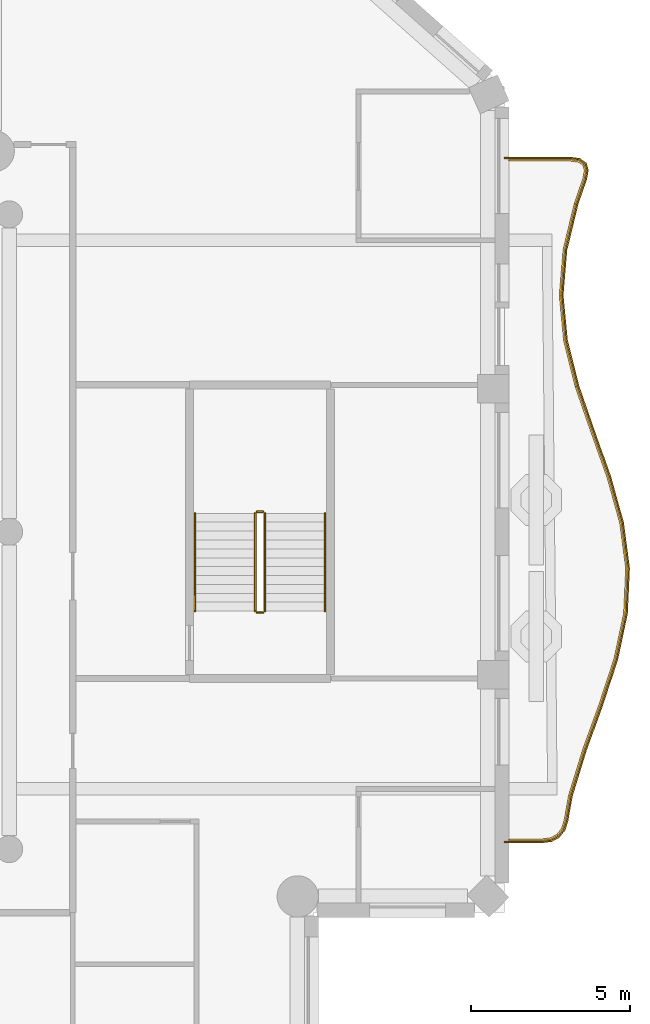
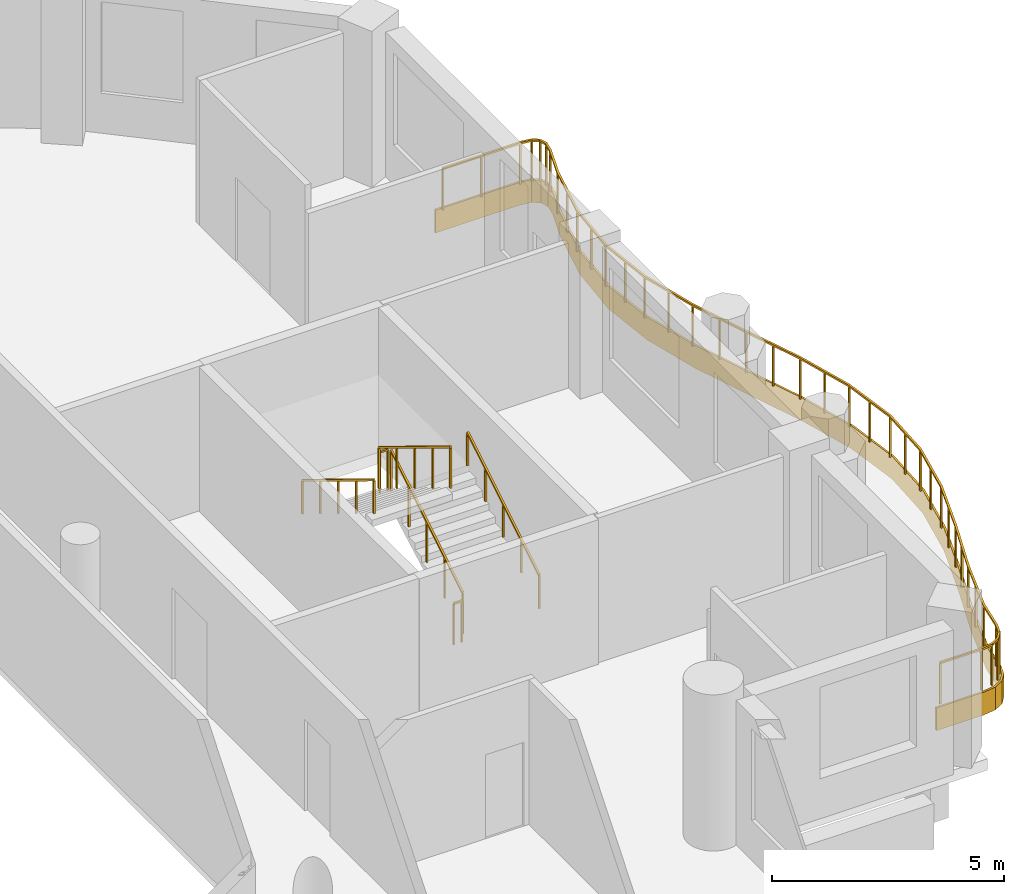
# One storey, part 12 of 14: 7 railings, 1 covering.
"""IFC4 building model written with IfcOpenShell, lengths in metres."""

from ifc_helpers import new_model, si_unit, direction, frame, origin, origin_2d, place, context, subcontext, project, spatial, polyline, rectangle, outline, extrude, material, layer, layer_set, type_object, element, save


model = new_model("IFC4")

# Units and contexts
model_context = context("Model", 3, precision=1e-05, world=origin(), true_north=direction((0.0, 1.0)))
body_context = subcontext(model_context, "Body", "Model", "MODEL_VIEW")
ifc_project = project(units=[si_unit("LENGTHUNIT", "METRE"), si_unit("AREAUNIT", "SQUARE_METRE"), si_unit("VOLUMEUNIT", "CUBIC_METRE"), si_unit("PLANEANGLEUNIT", "RADIAN"), si_unit("MASSUNIT", "GRAM", prefix="KILO")], contexts=[model_context])

# Site, building, storey
site_placement = place(None, origin())
site = spatial("IfcSite", under=ifc_project, at=site_placement, CompositionType="ELEMENT")
building_placement = place(site_placement, origin())
building = spatial("IfcBuilding", under=site, at=building_placement, Name="Cypress Arch Tower", CompositionType="ELEMENT")
storey_placement = place(building_placement, frame((0.0, 0.0, 284.39990234375)))
storey = spatial("IfcBuildingStorey", under=building, at=storey_placement, Name="L64", CompositionType="ELEMENT", Elevation=284.39990234375)

# Covering
ifc_material_1 = material(Name="White powder-coated aluminium fascia", Category="aluminium")
ifc_layer = layer(ifc_material_1, 0.050048828125)
ifc_layer_set = layer_set([ifc_layer], Name="Balcony fascia BF50")
covering_type = type_object("IfcCoveringType", Name="Balcony fascia BF50", PredefinedType="CLADDING", material=ifc_layer_set)
covering_placement = place(storey_placement, frame((0.0, 0.0, -0.599853515625)))
element("IfcCovering", 1, at=covering_placement, inside=storey, type_object=covering_type, Name="Balcony fascia L64-C17", PredefinedType="CLADDING", context=body_context, shape_type="SweptSolid", body=[
    extrude(outline(polyline([(26.68017578125, 11.800048828125), (26.980224609375, 11.757568359375), (27.176025390625, 11.61962890625), (27.2431640625, 11.3896484375), (27.186279296875, 11.092041015625), (26.916015625, 10.302734375), (26.569580078125, 8.875244140625), (26.450439453125, 7.4501953125), (26.587158203125, 6.025146484375), (26.94677734375, 4.59765625), (27.442138671875, 3.16650390625), (27.952392578125, 1.731689453125), (28.35205078125, 0.29345703125), (28.542236328125, -1.14794921875), (28.4755859375, -2.58984375), (28.168701171875, -4.02978515625), (27.697509765625, -5.46630859375), (27.1787109375, -6.899169921875), (26.7392578125, -8.328369140625), (26.59912109375, -9.1171875), (26.504150390625, -9.4111328125), (26.33349609375, -9.6279296875), (26.090087890625, -9.758056640625), (25.7841796875, -9.800048828125), (24.60107421875, -9.800048828125), (24.60107421875, -9.75), (25.78076171875, -9.75), (26.074462890625, -9.709716796875), (26.300537109375, -9.5888671875), (26.459228515625, -9.38720703125), (26.55029296875, -9.10498046875), (26.6904296875, -8.316650390625), (27.13134765625, -6.88330078125), (27.650390625, -5.449951171875), (28.1201171875, -4.0166015625), (28.42578125, -2.583251953125), (28.4921875, -1.14990234375), (28.302978515625, 0.283447265625), (27.90478515625, 1.716552734375), (27.39501953125, 3.14990234375), (26.898681640625, 4.583251953125), (26.53759765625, 6.0166015625), (26.400146484375, 7.449951171875), (26.52001953125, 8.88330078125), (26.867919921875, 10.316650390625), (27.1376953125, 11.10498046875), (27.191650390625, 11.38720703125), (27.1328125, 11.5888671875), (26.961181640625, 11.709716796875), (26.6767578125, 11.75), (24.60107421875, 11.75), (24.60107421875, 11.800048828125), (26.68017578125, 11.800048828125)])), origin(), (0.0, 0.0, 1.0), 0.599853515625),
])

# Railings
ifc_material_2 = material(Name="Powder-coated steel posts and rods, 100 mm clear between rods", Category="steel")
railing_type_1 = type_object("IfcRailingType", Name="Balcony guard GR1100", PredefinedType="GUARDRAIL", material=ifc_material_2)
railing_1_placement = place(storey_placement, frame((24.75, 11.699951171875, 0.0)))
element("IfcRailing", 2, at=railing_1_placement, inside=storey, type_object=railing_type_1, Name="Balcony guard L64-C17", PredefinedType="GUARDRAIL", context=body_context, shape_type="SweptSolid", body=[
    extrude(rectangle(XDim=0.050048828125, YDim=0.050048828125, at=origin_2d()), frame((0.0, 0.0, 1.0751953125), z_axis=(1.0, 0.0, 0.0), x_axis=(0.0, 1.0, 0.0)), (0.0, 0.0, 1.0), 1.92333984375),
    extrude(rectangle(XDim=0.050048828125, YDim=0.050048828125, at=origin_2d()), frame((1.92333984375, 0.0, 1.0751953125), z_axis=(0.990128391125, -0.140163365713, 0.0), x_axis=(0.140163365713, 0.990128391125, 0.0)), (0.0, 0.0, 1.0), 0.271728515625),
    extrude(rectangle(XDim=0.050048828125, YDim=0.050048828125, at=origin_2d()), frame((2.1923828125, -0.0380859375, 1.0751953125), z_axis=(0.817192775019, -0.576364440659, 0.0), x_axis=(0.576364440659, 0.817192775019, 0.0)), (0.0, 0.0, 1.0), 0.180419921875),
    extrude(rectangle(XDim=0.050048828125, YDim=0.050048828125, at=origin_2d()), frame((2.33984375, -0.14208984375, 1.0751953125), z_axis=(0.280259940984, -0.95992414569, 0.0), x_axis=(0.95992414569, 0.280259940984, 0.0)), (0.0, 0.0, 1.0), 0.180419921875),
    extrude(rectangle(XDim=0.050048828125, YDim=0.050048828125, at=origin_2d()), frame((2.390380859375, -0.315185546875, 1.0751953125), z_axis=(-0.18781405479, -0.982204602322, 0.0), x_axis=(0.982204602322, -0.18781405479, 0.0)), (0.0, 0.0, 1.0), 0.271728515625),
    extrude(rectangle(XDim=0.050048828125, YDim=0.050048828125, at=origin_2d()), frame((2.33935546875, -0.58203125, 1.0751953125), z_axis=(-0.323874276522, -0.946100128426, 0.0), x_axis=(0.946100128426, -0.323874276522, 0.0)), (0.0, 0.0, 1.0), 0.832275390625),
    extrude(rectangle(XDim=0.050048828125, YDim=0.050048828125, at=origin_2d()), frame((2.06982421875, -1.369384765625, 1.0751953125), z_axis=(-0.235897255412, -0.971778001855, 0.0), x_axis=(0.971778001855, -0.235897255412, 0.0)), (0.0, 0.0, 1.0), 1.48095703125),
    extrude(rectangle(XDim=0.050048828125, YDim=0.050048828125, at=origin_2d()), frame((1.720458984375, -2.80859375, 1.0751953125), z_axis=(-0.083366698614, -0.996518937884, 0.0), x_axis=(0.996518937884, -0.083366698614, 0.0)), (0.0, 0.0, 1.0), 1.44677734375),
    extrude(rectangle(XDim=0.050048828125, YDim=0.050048828125, at=origin_2d()), frame((1.599853515625, -4.250244140625, 1.0751953125), z_axis=(0.09558071033, -0.995421683415, 0.0), x_axis=(0.995421683415, 0.09558071033, 0.0)), (0.0, 0.0, 1.0), 1.4482421875),
    extrude(rectangle(XDim=0.050048828125, YDim=0.050048828125, at=origin_2d()), frame((1.73828125, -5.69189453125, 1.0751953125), z_axis=(0.24431593072, -0.969695687315, 0.0), x_axis=(0.969695687315, 0.24431593072, 0.0)), (0.0, 0.0, 1.0), 1.48388671875),
    extrude(rectangle(XDim=0.050048828125, YDim=0.050048828125, at=origin_2d()), frame((2.100830078125, -7.130859375, 1.0751953125), z_axis=(0.327198876846, -0.944955498947, 0.0), x_axis=(0.944955498947, 0.327198876846, 0.0)), (0.0, 0.0, 1.0), 1.519287109375),
    extrude(rectangle(XDim=0.050048828125, YDim=0.050048828125, at=origin_2d()), frame((2.597900390625, -8.56640625, 1.0751953125), z_axis=(0.335104742792, -0.942180880382, 0.0), x_axis=(0.942180880382, 0.335104742792, 0.0)), (0.0, 0.0, 1.0), 1.519775390625),
    extrude(rectangle(XDim=0.050048828125, YDim=0.050048828125, at=origin_2d()), frame((3.107177734375, -9.998291015625, 1.0751953125), z_axis=(0.267643863786, -0.96351790963, 0.0), x_axis=(0.96351790963, 0.267643863786, 0.0)), (0.0, 0.0, 1.0), 1.482421875),
    extrude(rectangle(XDim=0.050048828125, YDim=0.050048828125, at=origin_2d()), frame((3.50390625, -11.426513671875, 1.0751953125), z_axis=(0.13090688288, -0.991394668139, 0.0), x_axis=(0.991394668139, 0.13090688288, 0.0)), (0.0, 0.0, 1.0), 1.43798828125),
    extrude(rectangle(XDim=0.050048828125, YDim=0.050048828125, at=origin_2d()), frame((3.692138671875, -12.85205078125, 1.0751953125), z_axis=(-0.046385931084, -0.998923593373, 0.0), x_axis=(0.998923593373, -0.046385931084, 0.0)), (0.0, 0.0, 1.0), 1.42626953125),
    extrude(rectangle(XDim=0.050048828125, YDim=0.050048828125, at=origin_2d()), frame((3.6259765625, -14.27685546875, 1.0751953125), z_axis=(-0.20852322051, -0.97801741626, 0.0), x_axis=(0.97801741626, -0.20852322051, 0.0)), (0.0, 0.0, 1.0), 1.458740234375),
    extrude(rectangle(XDim=0.050048828125, YDim=0.050048828125, at=origin_2d()), frame((3.32177734375, -15.70361328125, 1.0751953125), z_axis=(-0.311502638206, -0.950245287487, 0.0), x_axis=(0.950245287487, -0.311502638206, 0.0)), (0.0, 0.0, 1.0), 1.5048828125),
    extrude(rectangle(XDim=0.050048828125, YDim=0.050048828125, at=origin_2d()), frame((2.85302734375, -17.133544921875, 1.0751953125), z_axis=(-0.340380071037, -0.940287938475, 0.0), x_axis=(0.940287938475, -0.340380071037, 0.0)), (0.0, 0.0, 1.0), 1.52490234375),
    extrude(rectangle(XDim=0.050048828125, YDim=0.050048828125, at=origin_2d()), frame((2.333984375, -18.5673828125, 1.0751953125), z_axis=(-0.293983183143, -0.955810592131, 0.0), x_axis=(0.955810592131, -0.293983183143, 0.0)), (0.0, 0.0, 1.0), 1.50390625),
    extrude(rectangle(XDim=0.050048828125, YDim=0.050048828125, at=origin_2d()), frame((1.891845703125, -20.0048828125, 1.0751953125), z_axis=(-0.175125344841, -0.984546145995, 0.0), x_axis=(0.984546145995, -0.175125344841, 0.0)), (0.0, 0.0, 1.0), 0.80029296875),
    extrude(rectangle(XDim=0.050048828125, YDim=0.050048828125, at=origin_2d()), frame((1.751708984375, -20.792724609375, 1.0751953125), z_axis=(-0.306676473275, -0.951813816216, 0.0), x_axis=(0.951813816216, -0.306676473275, 0.0)), (0.0, 0.0, 1.0), 0.2841796875),
    extrude(rectangle(XDim=0.050048828125, YDim=0.050048828125, at=origin_2d()), frame((1.66455078125, -21.063232421875, 1.0751953125), z_axis=(-0.618775972519, -0.785567499221, 0.0), x_axis=(0.785567499221, -0.618775972519, 0.0)), (0.0, 0.0, 1.0), 0.237060546875),
    extrude(rectangle(XDim=0.050048828125, YDim=0.050048828125, at=origin_2d()), frame((1.517822265625, -21.24951171875, 1.0751953125), z_axis=(-0.881724858893, -0.471764001604, 0.0), x_axis=(0.471764001604, -0.881724858893, 0.0)), (0.0, 0.0, 1.0), 0.237060546875),
    extrude(rectangle(XDim=0.050048828125, YDim=0.050048828125, at=origin_2d()), frame((1.308837890625, -21.361328125, 1.0751953125), z_axis=(-0.990741063369, -0.135765037305, 0.0), x_axis=(0.135765037305, -0.990741063369, 0.0)), (0.0, 0.0, 1.0), 0.2841796875),
    extrude(rectangle(XDim=0.050048828125, YDim=0.050048828125, at=origin_2d()), frame((1.02734375, -21.39990234375, 1.0751953125), z_axis=(-1.0, 0.0, 0.0), x_axis=(0.0, -1.0, 0.0)), (0.0, 0.0, 1.0), 1.02734375),
    extrude(rectangle(XDim=0.0400390625, YDim=0.0400390625, at=origin_2d()), origin(), (0.0, 0.0, 1.0), 1.050048828125),
    extrude(rectangle(XDim=0.0400390625, YDim=0.0400390625, at=origin_2d()), frame((0.961669921875, 0.0, 0.0)), (0.0, 0.0, 1.0), 1.050048828125),
    extrude(rectangle(XDim=0.0400390625, YDim=0.0400390625, at=origin_2d()), frame((1.92333984375, 0.0, 0.0)), (0.0, 0.0, 1.0), 1.050048828125),
    extrude(rectangle(XDim=0.0400390625, YDim=0.0400390625, at=origin_2d()), frame((2.1923828125, -0.0380859375, 0.0)), (0.0, 0.0, 1.0), 1.050048828125),
    extrude(rectangle(XDim=0.0400390625, YDim=0.0400390625, at=origin_2d()), frame((2.33984375, -0.14208984375, 0.0)), (0.0, 0.0, 1.0), 1.050048828125),
    extrude(rectangle(XDim=0.0400390625, YDim=0.0400390625, at=origin_2d()), frame((2.390380859375, -0.315185546875, 0.0)), (0.0, 0.0, 1.0), 1.050048828125),
    extrude(rectangle(XDim=0.0400390625, YDim=0.0400390625, at=origin_2d()), frame((2.33935546875, -0.58203125, 0.0)), (0.0, 0.0, 1.0), 1.050048828125),
    extrude(rectangle(XDim=0.0400390625, YDim=0.0400390625, at=origin_2d()), frame((2.06982421875, -1.369384765625, 0.0)), (0.0, 0.0, 1.0), 1.050048828125),
    extrude(rectangle(XDim=0.0400390625, YDim=0.0400390625, at=origin_2d()), frame((1.89501953125, -2.0888671875, 0.0)), (0.0, 0.0, 1.0), 1.050048828125),
    extrude(rectangle(XDim=0.0400390625, YDim=0.0400390625, at=origin_2d()), frame((1.720458984375, -2.80859375, 0.0)), (0.0, 0.0, 1.0), 1.050048828125),
    extrude(rectangle(XDim=0.0400390625, YDim=0.0400390625, at=origin_2d()), frame((1.66015625, -3.529296875, 0.0)), (0.0, 0.0, 1.0), 1.050048828125),
    extrude(rectangle(XDim=0.0400390625, YDim=0.0400390625, at=origin_2d()), frame((1.599853515625, -4.250244140625, 0.0)), (0.0, 0.0, 1.0), 1.050048828125),
    extrude(rectangle(XDim=0.0400390625, YDim=0.0400390625, at=origin_2d()), frame((1.6689453125, -4.97119140625, 0.0)), (0.0, 0.0, 1.0), 1.050048828125),
    extrude(rectangle(XDim=0.0400390625, YDim=0.0400390625, at=origin_2d()), frame((1.73828125, -5.69189453125, 0.0)), (0.0, 0.0, 1.0), 1.050048828125),
    extrude(rectangle(XDim=0.0400390625, YDim=0.0400390625, at=origin_2d()), frame((1.91943359375, -6.411376953125, 0.0)), (0.0, 0.0, 1.0), 1.050048828125),
    extrude(rectangle(XDim=0.0400390625, YDim=0.0400390625, at=origin_2d()), frame((2.100830078125, -7.130859375, 0.0)), (0.0, 0.0, 1.0), 1.050048828125),
    extrude(rectangle(XDim=0.0400390625, YDim=0.0400390625, at=origin_2d()), frame((2.349365234375, -7.8486328125, 0.0)), (0.0, 0.0, 1.0), 1.050048828125),
    extrude(rectangle(XDim=0.0400390625, YDim=0.0400390625, at=origin_2d()), frame((2.597900390625, -8.56640625, 0.0)), (0.0, 0.0, 1.0), 1.050048828125),
    extrude(rectangle(XDim=0.0400390625, YDim=0.0400390625, at=origin_2d()), frame((2.8525390625, -9.2822265625, 0.0)), (0.0, 0.0, 1.0), 1.050048828125),
    extrude(rectangle(XDim=0.0400390625, YDim=0.0400390625, at=origin_2d()), frame((3.107177734375, -9.998291015625, 0.0)), (0.0, 0.0, 1.0), 1.050048828125),
    extrude(rectangle(XDim=0.0400390625, YDim=0.0400390625, at=origin_2d()), frame((3.3056640625, -10.71240234375, 0.0)), (0.0, 0.0, 1.0), 1.050048828125),
    extrude(rectangle(XDim=0.0400390625, YDim=0.0400390625, at=origin_2d()), frame((3.50390625, -11.426513671875, 0.0)), (0.0, 0.0, 1.0), 1.050048828125),
    extrude(rectangle(XDim=0.0400390625, YDim=0.0400390625, at=origin_2d()), frame((3.59814453125, -12.13916015625, 0.0)), (0.0, 0.0, 1.0), 1.050048828125),
    extrude(rectangle(XDim=0.0400390625, YDim=0.0400390625, at=origin_2d()), frame((3.692138671875, -12.85205078125, 0.0)), (0.0, 0.0, 1.0), 1.050048828125),
    extrude(rectangle(XDim=0.0400390625, YDim=0.0400390625, at=origin_2d()), frame((3.6591796875, -13.564453125, 0.0)), (0.0, 0.0, 1.0), 1.050048828125),
    extrude(rectangle(XDim=0.0400390625, YDim=0.0400390625, at=origin_2d()), frame((3.6259765625, -14.27685546875, 0.0)), (0.0, 0.0, 1.0), 1.050048828125),
    extrude(rectangle(XDim=0.0400390625, YDim=0.0400390625, at=origin_2d()), frame((3.473876953125, -14.990234375, 0.0)), (0.0, 0.0, 1.0), 1.050048828125),
    extrude(rectangle(XDim=0.0400390625, YDim=0.0400390625, at=origin_2d()), frame((3.32177734375, -15.70361328125, 0.0)), (0.0, 0.0, 1.0), 1.050048828125),
    extrude(rectangle(XDim=0.0400390625, YDim=0.0400390625, at=origin_2d()), frame((3.08740234375, -16.41845703125, 0.0)), (0.0, 0.0, 1.0), 1.050048828125),
    extrude(rectangle(XDim=0.0400390625, YDim=0.0400390625, at=origin_2d()), frame((2.85302734375, -17.133544921875, 0.0)), (0.0, 0.0, 1.0), 1.050048828125),
    extrude(rectangle(XDim=0.0400390625, YDim=0.0400390625, at=origin_2d()), frame((2.593505859375, -17.8505859375, 0.0)), (0.0, 0.0, 1.0), 1.050048828125),
    extrude(rectangle(XDim=0.0400390625, YDim=0.0400390625, at=origin_2d()), frame((2.333984375, -18.5673828125, 0.0)), (0.0, 0.0, 1.0), 1.050048828125),
    extrude(rectangle(XDim=0.0400390625, YDim=0.0400390625, at=origin_2d()), frame((2.11279296875, -19.2861328125, 0.0)), (0.0, 0.0, 1.0), 1.050048828125),
    extrude(rectangle(XDim=0.0400390625, YDim=0.0400390625, at=origin_2d()), frame((1.891845703125, -20.0048828125, 0.0)), (0.0, 0.0, 1.0), 1.050048828125),
    extrude(rectangle(XDim=0.0400390625, YDim=0.0400390625, at=origin_2d()), frame((1.751708984375, -20.792724609375, 0.0)), (0.0, 0.0, 1.0), 1.050048828125),
    extrude(rectangle(XDim=0.0400390625, YDim=0.0400390625, at=origin_2d()), frame((1.66455078125, -21.063232421875, 0.0)), (0.0, 0.0, 1.0), 1.050048828125),
    extrude(rectangle(XDim=0.0400390625, YDim=0.0400390625, at=origin_2d()), frame((1.517822265625, -21.24951171875, 0.0)), (0.0, 0.0, 1.0), 1.050048828125),
    extrude(rectangle(XDim=0.0400390625, YDim=0.0400390625, at=origin_2d()), frame((1.308837890625, -21.361328125, 0.0)), (0.0, 0.0, 1.0), 1.050048828125),
    extrude(rectangle(XDim=0.0400390625, YDim=0.0400390625, at=origin_2d()), frame((1.02734375, -21.39990234375, 0.0)), (0.0, 0.0, 1.0), 1.050048828125),
    extrude(rectangle(XDim=0.0400390625, YDim=0.0400390625, at=origin_2d()), frame((0.0, -21.39990234375, 0.0)), (0.0, 0.0, 1.0), 1.050048828125),
])
ifc_material_3 = material(Name="Black powder-coated steel square bar 48 mm", Category="steel")
railing_type_2 = type_object("IfcRailingType", Name="Stair handrail HR1", PredefinedType="HANDRAIL", material=ifc_material_3)
railing_2_placement = place(storey_placement, frame((18.949951171875, -2.5, 0.1708984375)))
element("IfcRailing", 3, at=railing_2_placement, inside=storey, type_object=railing_type_2, Name="L64 C stair handrail 1", PredefinedType="HANDRAIL", context=body_context, shape_type="SweptSolid", body=[
    extrude(rectangle(XDim=0.048095703125, YDim=0.048095703125, at=origin_2d()), frame((0.0, 0.0, 0.8759765625), z_axis=(0.0, 0.853666305674, 0.52082035152), x_axis=(-1.0, 0.0, 0.0)), (0.0, 0.0, 1.0), 3.608154296875),
    extrude(rectangle(XDim=0.0419921875, YDim=0.0419921875, at=origin_2d()), origin(), (0.0, 0.0, 1.0), 0.851806640625),
    extrude(rectangle(XDim=0.0419921875, YDim=0.0419921875, at=origin_2d()), frame((0.0, 0.77001953125, 0.4697265625)), (0.0, 0.0, 1.0), 0.851806640625),
    extrude(rectangle(XDim=0.0419921875, YDim=0.0419921875, at=origin_2d()), frame((0.0, 1.5400390625, 0.939453125)), (0.0, 0.0, 1.0), 0.851806640625),
    extrude(rectangle(XDim=0.0419921875, YDim=0.0419921875, at=origin_2d()), frame((0.0, 2.31005859375, 1.409423828125)), (0.0, 0.0, 1.0), 0.851806640625),
    extrude(rectangle(XDim=0.0419921875, YDim=0.0419921875, at=origin_2d()), frame((0.0, 3.080078125, 1.879150390625)), (0.0, 0.0, 1.0), 0.851806640625),
])
railing_3_placement = place(storey_placement, frame((14.85009765625, 0.580078125, 2.220947265625)))
element("IfcRailing", 4, at=railing_3_placement, inside=storey, type_object=railing_type_2, Name="L64 C stair handrail 2", PredefinedType="HANDRAIL", context=body_context, shape_type="SweptSolid", body=[
    extrude(rectangle(XDim=0.048095703125, YDim=0.048095703125, at=origin_2d()), frame((0.0, 0.0, 0.8759765625), z_axis=(0.0, -0.853666305674, 0.52082035152), x_axis=(1.0, 0.0, 0.0)), (0.0, 0.0, 1.0), 3.608154296875),
    extrude(rectangle(XDim=0.0419921875, YDim=0.0419921875, at=origin_2d()), origin(), (0.0, 0.0, 1.0), 0.851806640625),
    extrude(rectangle(XDim=0.0419921875, YDim=0.0419921875, at=origin_2d()), frame((0.0, -0.77001953125, 0.4697265625)), (0.0, 0.0, 1.0), 0.851806640625),
    extrude(rectangle(XDim=0.0419921875, YDim=0.0419921875, at=origin_2d()), frame((0.0, -1.5400390625, 0.939453125)), (0.0, 0.0, 1.0), 0.851806640625),
    extrude(rectangle(XDim=0.0419921875, YDim=0.0419921875, at=origin_2d()), frame((0.0, -2.31005859375, 1.409423828125)), (0.0, 0.0, 1.0), 0.851806640625),
    extrude(rectangle(XDim=0.0419921875, YDim=0.0419921875, at=origin_2d()), frame((0.0, -3.080078125, 1.879150390625)), (0.0, 0.0, 1.0), 0.851806640625),
])
ifc_material_4 = material(Name="Black powder-coated steel balusters", Category="steel")
railing_type_3 = type_object("IfcRailingType", Name="Stair well guard G1", PredefinedType="GUARDRAIL", material=ifc_material_4)
railing_4_placement = place(storey_placement, frame((17.050048828125, -2.5, 0.1708984375)))
element("IfcRailing", 5, at=railing_4_placement, inside=storey, type_object=railing_type_3, Name="L64 C stair guard 1", PredefinedType="GUARDRAIL", context=body_context, shape_type="SweptSolid", body=[
    extrude(rectangle(XDim=0.048095703125, YDim=0.048095703125, at=origin_2d()), frame((0.0, 0.0, 1.076171875), z_axis=(0.0, 0.853666305674, 0.52082035152), x_axis=(-1.0, 0.0, 0.0)), (0.0, 0.0, 1.0), 3.608154296875),
    extrude(rectangle(XDim=0.0419921875, YDim=0.0419921875, at=origin_2d()), origin(), (0.0, 0.0, 1.0), 1.052001953125),
    extrude(rectangle(XDim=0.0419921875, YDim=0.0419921875, at=origin_2d()), frame((0.0, 0.77001953125, 0.4697265625)), (0.0, 0.0, 1.0), 1.052001953125),
    extrude(rectangle(XDim=0.0419921875, YDim=0.0419921875, at=origin_2d()), frame((0.0, 1.5400390625, 0.939453125)), (0.0, 0.0, 1.0), 1.052001953125),
    extrude(rectangle(XDim=0.0419921875, YDim=0.0419921875, at=origin_2d()), frame((0.0, 2.31005859375, 1.409423828125)), (0.0, 0.0, 1.0), 1.052001953125),
    extrude(rectangle(XDim=0.0419921875, YDim=0.0419921875, at=origin_2d()), frame((0.0, 3.080078125, 1.879150390625)), (0.0, 0.0, 1.0), 1.052001953125),
])
railing_5_placement = place(storey_placement, frame((17.0, 0.6298828125, 2.050048828125)))
element("IfcRailing", 6, at=railing_5_placement, inside=storey, type_object=railing_type_3, Name="L64 C stair guard 2", PredefinedType="GUARDRAIL", context=body_context, shape_type="SweptSolid", body=[
    extrude(rectangle(XDim=0.048095703125, YDim=0.048095703125, at=origin_2d()), frame((0.0, 0.0, 1.076171875), z_axis=(-1.0, 0.0, 0.0), x_axis=(0.0, -1.0, 0.0)), (0.0, 0.0, 1.0), 0.199951171875),
    extrude(rectangle(XDim=0.0419921875, YDim=0.0419921875, at=origin_2d()), origin(), (0.0, 0.0, 1.0), 1.052001953125),
    extrude(rectangle(XDim=0.0419921875, YDim=0.0419921875, at=origin_2d()), frame((-0.199951171875, 0.0, 0.0)), (0.0, 0.0, 1.0), 1.052001953125),
])
railing_6_placement = place(storey_placement, frame((16.75, 0.580078125, 2.220947265625)))
element("IfcRailing", 7, at=railing_6_placement, inside=storey, type_object=railing_type_3, Name="L64 C stair guard 3", PredefinedType="GUARDRAIL", context=body_context, shape_type="SweptSolid", body=[
    extrude(rectangle(XDim=0.048095703125, YDim=0.048095703125, at=origin_2d()), frame((0.0, 0.0, 1.076171875), z_axis=(0.0, -0.853666305674, 0.52082035152), x_axis=(1.0, 0.0, 0.0)), (0.0, 0.0, 1.0), 3.608154296875),
    extrude(rectangle(XDim=0.0419921875, YDim=0.0419921875, at=origin_2d()), origin(), (0.0, 0.0, 1.0), 1.052001953125),
    extrude(rectangle(XDim=0.0419921875, YDim=0.0419921875, at=origin_2d()), frame((0.0, -0.77001953125, 0.4697265625)), (0.0, 0.0, 1.0), 1.052001953125),
    extrude(rectangle(XDim=0.0419921875, YDim=0.0419921875, at=origin_2d()), frame((0.0, -1.5400390625, 0.939453125)), (0.0, 0.0, 1.0), 1.052001953125),
    extrude(rectangle(XDim=0.0419921875, YDim=0.0419921875, at=origin_2d()), frame((0.0, -2.31005859375, 1.409423828125)), (0.0, 0.0, 1.0), 1.052001953125),
    extrude(rectangle(XDim=0.0419921875, YDim=0.0419921875, at=origin_2d()), frame((0.0, -3.080078125, 1.879150390625)), (0.0, 0.0, 1.0), 1.052001953125),
])
railing_7_placement = place(storey_placement, frame((17.0, -2.550048828125, 0.0)))
element("IfcRailing", 8, at=railing_7_placement, inside=storey, type_object=railing_type_3, Name="L64 C stair guard 4", PredefinedType="GUARDRAIL", context=body_context, shape_type="SweptSolid", body=[
    extrude(rectangle(XDim=0.048095703125, YDim=0.048095703125, at=origin_2d()), frame((0.0, 0.0, 1.076171875), z_axis=(-1.0, 0.0, 0.0), x_axis=(0.0, -1.0, 0.0)), (0.0, 0.0, 1.0), 0.199951171875),
    extrude(rectangle(XDim=0.0419921875, YDim=0.0419921875, at=origin_2d()), origin(), (0.0, 0.0, 1.0), 1.052001953125),
    extrude(rectangle(XDim=0.0419921875, YDim=0.0419921875, at=origin_2d()), frame((-0.199951171875, 0.0, 0.0)), (0.0, 0.0, 1.0), 1.052001953125),
])

save(model, "model.ifc")
